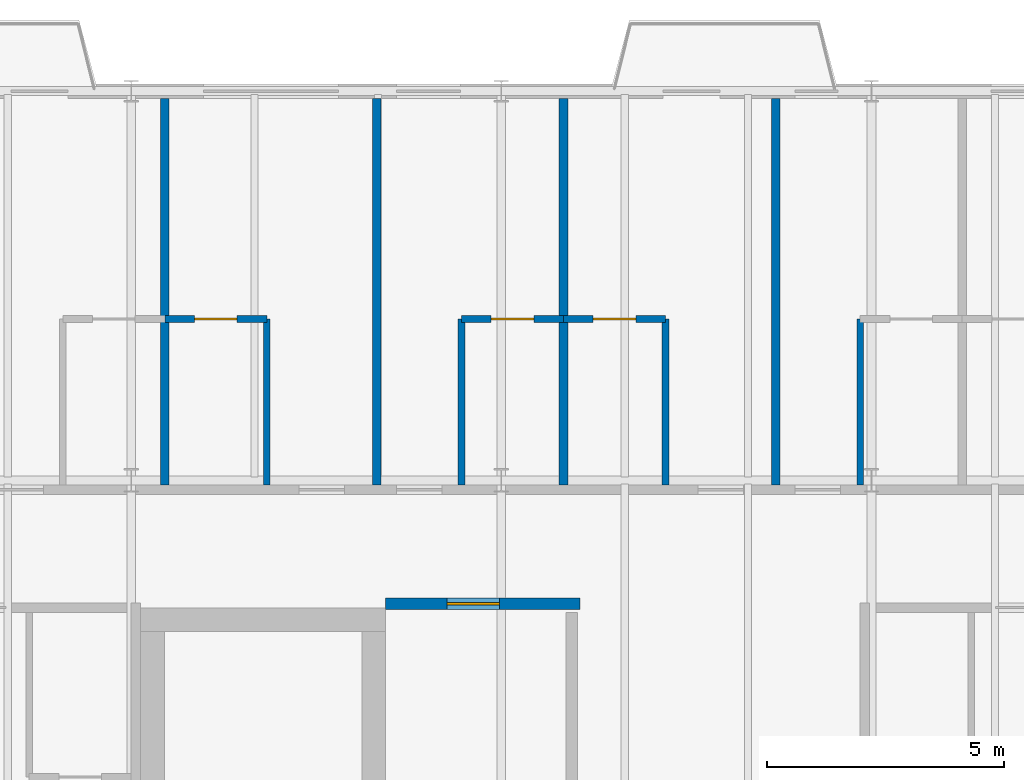
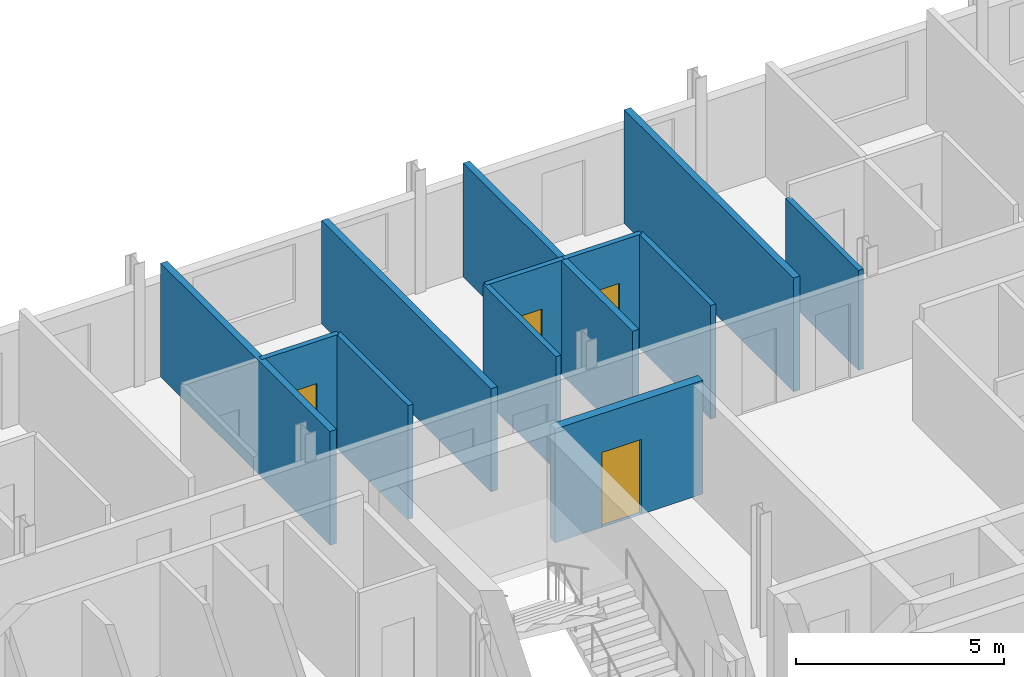
# One storey, part 28 of 36: 12 walls, 4 doors, 4 openings.
"""IFC4 building model written with IfcOpenShell, lengths in metres."""

from ifc_helpers import new_model, si_unit, direction, frame, frame_2d, origin, place, context, subcontext, project, spatial, rectangle, extrude, material, layer, layer_set, type_object, element, fill, save


model = new_model("IFC4")

# Units and contexts
model_context = context("Model", 3, precision=1e-05, world=origin(), true_north=direction((0.0, 1.0)))
body_context = subcontext(model_context, "Body", "Model", "MODEL_VIEW")
ifc_project = project(units=[si_unit("LENGTHUNIT", "METRE"), si_unit("AREAUNIT", "SQUARE_METRE"), si_unit("VOLUMEUNIT", "CUBIC_METRE"), si_unit("PLANEANGLEUNIT", "RADIAN"), si_unit("MASSUNIT", "GRAM", prefix="KILO")], contexts=[model_context])

# Site, building, storey
site_placement = place(None, origin())
site = spatial("IfcSite", under=ifc_project, at=site_placement, CompositionType="ELEMENT")
building_placement = place(site_placement, origin())
building = spatial("IfcBuilding", under=site, at=building_placement, Name="Sefraquen Railside Congress Hotel", CompositionType="ELEMENT")
storey_placement = place(building_placement, frame((0.0, 0.0, 24.60009765625)))
storey = spatial("IfcBuildingStorey", under=building, at=storey_placement, Name="L05", CompositionType="ELEMENT", Elevation=24.60009765625)

# Wall, opening, door
ifc_material_1 = material(Name="Concrete C40/50", Category="concrete")
ifc_layer_1 = layer(ifc_material_1, 0.239990234375)
ifc_layer_set_1 = layer_set([ifc_layer_1], Name="Concrete C40/50")
wall_type_1 = type_object("IfcWallType", Name="TW-FW-240", PredefinedType="STANDARD", material=ifc_layer_set_1)
wall_1_placement = place(storey_placement, frame((69.56005859375, 107.199951171875, 0.0), z_axis=(0.0, 0.0, 1.0), x_axis=(1.0, 0.0, 0.0)))
wall_1 = element("IfcWall", 1, at=wall_1_placement, inside=storey, type_object=wall_type_1, Name="Firefighting Lift Lobby FFL-03 EI 120 separation wall L05", PredefinedType="STANDARD", context=body_context, shape_type="SweptSolid", body=[
    extrude(rectangle(XDim=4.099853515625, YDim=0.239990234375, at=frame_2d((2.0498046875, 0.0))), origin(), (0.0, 0.0, 1.0), 3.33984375),
])
opening_1_placement = place(wall_1_placement, frame((1.300048828125, 0.0, 0.0)))
opening_1 = element("IfcOpeningElement", 2, at=opening_1_placement, cuts=wall_1, Name="Opening FD-04", PredefinedType="OPENING", context=body_context, shape_type="SweptSolid", body=[
    extrude(rectangle(XDim=1.10009765625, YDim=2.199951171875, at=frame_2d((0.550048828125, 1.10009765625))), frame((0.0, 0.1298828125, 0.0), z_axis=(0.0, -1.0, 0.0), x_axis=(1.0, 0.0, 0.0)), (0.0, 0.0, 1.0), 0.260009765625),
])
ifc_material_2 = material(Name="Fire-rated steel", Category="steel")
door_type_1 = type_object("IfcDoorType", Name="TD-FD-04", OperationType="NOTDEFINED", PredefinedType="DOOR", material=ifc_material_2)
door_1_placement = place(opening_1_placement, origin())
door_1 = element("IfcDoor", 3, at=door_1_placement, inside=storey, type_object=door_type_1, Name="Firefighting Lift Lobby FFL-03 self-closing fire door L05", OperationType="SINGLE_SWING_LEFT", OverallHeight=2.199951171875, OverallWidth=1.10009765625, PredefinedType="DOOR", context=body_context, shape_type="SweptSolid", body=[
    extrude(rectangle(XDim=1.10009765625, YDim=2.199951171875, at=frame_2d((0.550048828125, 1.10009765625))), frame((0.0, 0.02490234375, 0.0), z_axis=(0.0, -1.0, 0.0), x_axis=(1.0, 0.0, 0.0)), (0.0, 0.0, 1.0), 0.050048828125),
])
fill(opening_1, door_1)

# Wall
ifc_material_3 = material(Name="Moisture-resistant gypsum board", Category="gypsum")
ifc_layer_2 = layer(ifc_material_3, 0.139892578125)
ifc_layer_set_2 = layer_set([ifc_layer_2], Name="Moisture-resistant gypsum board")
wall_type_2 = type_object("IfcWallType", Name="TW-PW-140", PredefinedType="PARTITIONING", material=ifc_layer_set_2)
wall_2_placement = place(storey_placement, frame((67.06005859375, 109.699951171875, 0.0), z_axis=(0.0, 0.0, 1.0), x_axis=(0.0, 1.0, 0.0)))
element("IfcWall", 4, at=wall_2_placement, inside=storey, type_object=wall_type_2, Name="En-suite bathroom east wall RM-011", PredefinedType="PARTITIONING", context=body_context, shape_type="SweptSolid", body=[
    extrude(rectangle(XDim=3.5, YDim=0.139892578125, at=frame_2d((1.75, 0.0))), origin(), (0.0, 0.0, 1.0), 3.33984375),
])

# Wall, opening, door
wall_3_placement = place(storey_placement, frame((64.909912109375, 113.199951171875, 0.0), z_axis=(0.0, 0.0, 1.0), x_axis=(1.0, 0.0, 0.0)))
wall_3 = element("IfcWall", 5, at=wall_3_placement, inside=storey, type_object=wall_type_2, Name="En-suite bathroom north wall RM-011", PredefinedType="PARTITIONING", context=body_context, shape_type="SweptSolid", body=[
    extrude(rectangle(XDim=2.150146484375, YDim=0.139892578125, at=frame_2d((1.0751953125, 0.0))), origin(), (0.0, 0.0, 1.0), 3.33984375),
])
opening_2_placement = place(wall_3_placement, frame((0.625, 0.0, 0.0)))
opening_2 = element("IfcOpeningElement", 6, at=opening_2_placement, cuts=wall_3, Name="Opening ID-02", PredefinedType="OPENING", context=body_context, shape_type="SweptSolid", body=[
    extrude(rectangle(XDim=0.89990234375, YDim=2.10009765625, at=frame_2d((0.449951171875, 1.050048828125))), frame((0.0, 0.079833984375, 0.0), z_axis=(0.0, -1.0, 0.0), x_axis=(1.0, 0.0, 0.0)), (0.0, 0.0, 1.0), 0.159912109375),
])
ifc_material_4 = material(Name="Lacquered cedar joinery", Category="wood")
door_type_2 = type_object("IfcDoorType", Name="TD-ID-02", OperationType="NOTDEFINED", PredefinedType="DOOR", material=ifc_material_4)
door_2_placement = place(opening_2_placement, origin())
door_2 = element("IfcDoor", 7, at=door_2_placement, inside=storey, type_object=door_type_2, Name="En-suite bathroom door RM-011", OperationType="SINGLE_SWING_LEFT", OverallHeight=2.10009765625, OverallWidth=0.89990234375, PredefinedType="DOOR", context=body_context, shape_type="SweptSolid", body=[
    extrude(rectangle(XDim=0.89990234375, YDim=2.10009765625, at=frame_2d((0.449951171875, 1.050048828125))), frame((0.0, 0.02490234375, 0.0), z_axis=(0.0, -1.0, 0.0), x_axis=(1.0, 0.0, 0.0)), (0.0, 0.0, 1.0), 0.050048828125),
])
fill(opening_2, door_2)

# Wall
wall_4_placement = place(storey_placement, frame((71.159912109375, 109.699951171875, 0.0), z_axis=(0.0, 0.0, 1.0), x_axis=(0.0, 1.0, 0.0)))
element("IfcWall", 8, at=wall_4_placement, inside=storey, type_object=wall_type_2, Name="En-suite bathroom west wall RM-012", PredefinedType="PARTITIONING", context=body_context, shape_type="SweptSolid", body=[
    extrude(rectangle(XDim=3.5, YDim=0.139892578125, at=frame_2d((1.75, 0.0))), origin(), (0.0, 0.0, 1.0), 3.33984375),
])

# Wall, opening, door
wall_5_placement = place(storey_placement, frame((71.159912109375, 113.199951171875, 0.0), z_axis=(0.0, 0.0, 1.0), x_axis=(1.0, 0.0, 0.0)))
wall_5 = element("IfcWall", 9, at=wall_5_placement, inside=storey, type_object=wall_type_2, Name="En-suite bathroom north wall RM-012", PredefinedType="PARTITIONING", context=body_context, shape_type="SweptSolid", body=[
    extrude(rectangle(XDim=2.150146484375, YDim=0.139892578125, at=frame_2d((1.0751953125, 0.0))), origin(), (0.0, 0.0, 1.0), 3.33984375),
])
opening_3_placement = place(wall_5_placement, frame((0.625, 0.0, 0.0)))
opening_3 = element("IfcOpeningElement", 10, at=opening_3_placement, cuts=wall_5, Name="Opening ID-02", PredefinedType="OPENING", context=body_context, shape_type="SweptSolid", body=[
    extrude(rectangle(XDim=0.89990234375, YDim=2.10009765625, at=frame_2d((0.449951171875, 1.050048828125))), frame((0.0, 0.079833984375, 0.0), z_axis=(0.0, -1.0, 0.0), x_axis=(1.0, 0.0, 0.0)), (0.0, 0.0, 1.0), 0.159912109375),
])
door_3_placement = place(opening_3_placement, origin())
door_3 = element("IfcDoor", 11, at=door_3_placement, inside=storey, type_object=door_type_2, Name="En-suite bathroom door RM-012", OperationType="SINGLE_SWING_LEFT", OverallHeight=2.10009765625, OverallWidth=0.89990234375, PredefinedType="DOOR", context=body_context, shape_type="SweptSolid", body=[
    extrude(rectangle(XDim=0.89990234375, YDim=2.10009765625, at=frame_2d((0.449951171875, 1.050048828125))), frame((0.0, 0.02490234375, 0.0), z_axis=(0.0, -1.0, 0.0), x_axis=(1.0, 0.0, 0.0)), (0.0, 0.0, 1.0), 0.050048828125),
])
fill(opening_3, door_3)

# Wall
wall_6_placement = place(storey_placement, frame((75.4599609375, 109.699951171875, 0.0), z_axis=(0.0, 0.0, 1.0), x_axis=(0.0, 1.0, 0.0)))
element("IfcWall", 12, at=wall_6_placement, inside=storey, type_object=wall_type_2, Name="En-suite bathroom east wall RM-013", PredefinedType="PARTITIONING", context=body_context, shape_type="SweptSolid", body=[
    extrude(rectangle(XDim=3.5, YDim=0.139892578125, at=frame_2d((1.75, 0.0))), origin(), (0.0, 0.0, 1.0), 3.33984375),
])

# Wall, opening, door
wall_7_placement = place(storey_placement, frame((73.31005859375, 113.199951171875, 0.0), z_axis=(0.0, 0.0, 1.0), x_axis=(1.0, 0.0, 0.0)))
wall_7 = element("IfcWall", 13, at=wall_7_placement, inside=storey, type_object=wall_type_2, Name="En-suite bathroom north wall RM-013", PredefinedType="PARTITIONING", context=body_context, shape_type="SweptSolid", body=[
    extrude(rectangle(XDim=2.14990234375, YDim=0.139892578125, at=frame_2d((1.074951171875, 0.0))), origin(), (0.0, 0.0, 1.0), 3.33984375),
])
opening_4_placement = place(wall_7_placement, frame((0.625, 0.0, 0.0)))
opening_4 = element("IfcOpeningElement", 14, at=opening_4_placement, cuts=wall_7, Name="Opening ID-02", PredefinedType="OPENING", context=body_context, shape_type="SweptSolid", body=[
    extrude(rectangle(XDim=0.89990234375, YDim=2.10009765625, at=frame_2d((0.449951171875, 1.050048828125))), frame((0.0, 0.079833984375, 0.0), z_axis=(0.0, -1.0, 0.0), x_axis=(1.0, 0.0, 0.0)), (0.0, 0.0, 1.0), 0.159912109375),
])
door_4_placement = place(opening_4_placement, origin())
door_4 = element("IfcDoor", 15, at=door_4_placement, inside=storey, type_object=door_type_2, Name="En-suite bathroom door RM-013", OperationType="SINGLE_SWING_LEFT", OverallHeight=2.10009765625, OverallWidth=0.89990234375, PredefinedType="DOOR", context=body_context, shape_type="SweptSolid", body=[
    extrude(rectangle(XDim=0.89990234375, YDim=2.10009765625, at=frame_2d((0.449951171875, 1.050048828125))), frame((0.0, 0.02490234375, 0.0), z_axis=(0.0, -1.0, 0.0), x_axis=(1.0, 0.0, 0.0)), (0.0, 0.0, 1.0), 0.050048828125),
])
fill(opening_4, door_4)

# Walls
wall_8_placement = place(storey_placement, frame((79.56005859375, 109.699951171875, 0.0), z_axis=(0.0, 0.0, 1.0), x_axis=(0.0, 1.0, 0.0)))
element("IfcWall", 16, at=wall_8_placement, inside=storey, type_object=wall_type_2, Name="En-suite bathroom west wall RM-014", PredefinedType="PARTITIONING", context=body_context, shape_type="SweptSolid", body=[
    extrude(rectangle(XDim=3.5, YDim=0.139892578125, at=frame_2d((1.75, 0.0))), origin(), (0.0, 0.0, 1.0), 2.929931640625),
])
ifc_material_5 = material(Name="Acoustic gypsum board on metal stud", Category="gypsum")
ifc_layer_3 = layer(ifc_material_5, 0.179931640625)
ifc_layer_set_3 = layer_set([ifc_layer_3], Name="Acoustic gypsum board on metal stud")
wall_type_3 = type_object("IfcWallType", Name="TW-PW-180", PredefinedType="PARTITIONING", material=ifc_layer_set_3)
wall_9_placement = place(storey_placement, frame((64.909912109375, 109.699951171875, 0.0), z_axis=(0.0, 0.0, 1.0), x_axis=(0.0, 1.0, 0.0)))
element("IfcWall", 17, at=wall_9_placement, inside=storey, type_object=wall_type_3, Name="Guest room demising wall RM-010", PredefinedType="PARTITIONING", context=body_context, shape_type="SweptSolid", body=[
    extrude(rectangle(XDim=8.150146484375, YDim=0.179931640625, at=frame_2d((4.0751953125, 0.0))), origin(), (0.0, 0.0, 1.0), 3.33984375),
])
wall_10_placement = place(storey_placement, frame((69.3798828125, 109.699951171875, 0.0), z_axis=(0.0, 0.0, 1.0), x_axis=(0.0, 1.0, 0.0)))
element("IfcWall", 18, at=wall_10_placement, inside=storey, type_object=wall_type_3, Name="Guest room demising wall RM-011", PredefinedType="PARTITIONING", context=body_context, shape_type="SweptSolid", body=[
    extrude(rectangle(XDim=8.150146484375, YDim=0.179931640625, at=frame_2d((4.0751953125, 0.0))), origin(), (0.0, 0.0, 1.0), 3.02978515625),
])
for number, where, z_axis, x_axis, name in (
    (19, (73.31005859375, 109.699951171875, 0.0), (0.0, 0.0, 1.0), (0.0, 1.0, 0.0), "Guest room demising wall RM-012"),
    (20, (77.780029296875, 109.699951171875, 0.0), (0.0, 0.0, 1.0), (0.0, 1.0, 0.0), "Guest room demising wall RM-013"),
):
    element("IfcWall", number, at=place(storey_placement, frame(where, z_axis=z_axis, x_axis=x_axis)), inside=storey, type_object=wall_type_3, Name=name, PredefinedType="PARTITIONING", context=body_context, shape_type="SweptSolid", body=[
        extrude(rectangle(XDim=8.150146484375, YDim=0.179931640625, at=frame_2d((4.0751953125, 0.0))), origin(), (0.0, 0.0, 1.0), 3.33984375),
    ])

save(model, "model.ifc")
